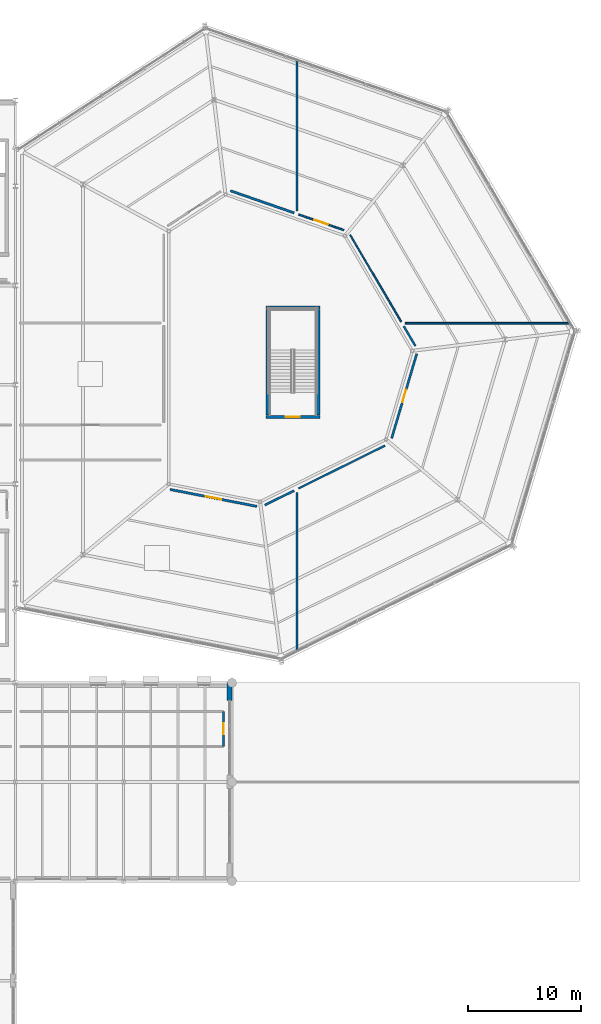
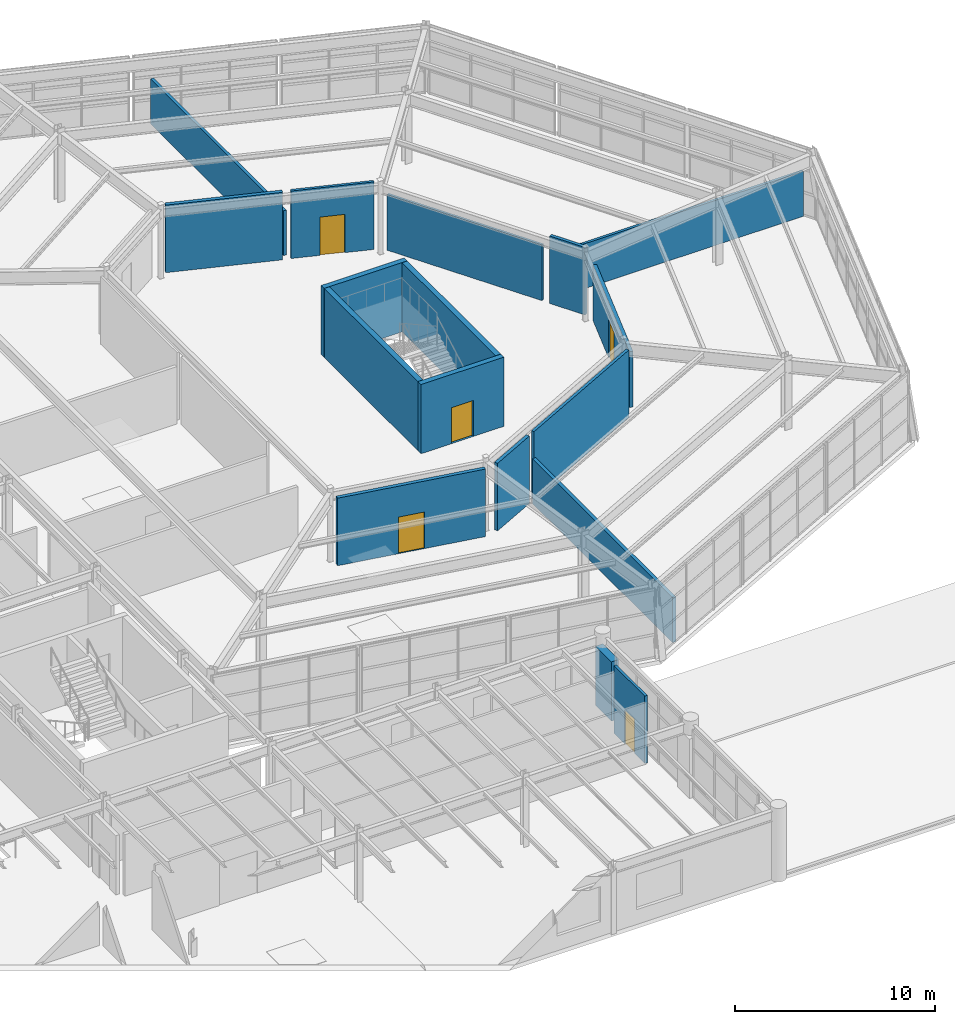
# One storey, part 63 of 77: 17 walls, 5 doors, 5 openings.
"""IFC4 building model written with IfcOpenShell, lengths in metres."""

from ifc_helpers import new_model, si_unit, direction, frame, frame_2d, origin, place, context, subcontext, project, spatial, rectangle, extrude, material, layer, layer_set, type_object, element, fill, save


model = new_model("IFC4")

# Units and contexts
model_context = context("Model", 3, precision=1e-05, world=origin(), true_north=direction((0.0, 1.0)))
body_context = subcontext(model_context, "Body", "Model", "MODEL_VIEW")
ifc_project = project(units=[si_unit("LENGTHUNIT", "METRE"), si_unit("AREAUNIT", "SQUARE_METRE"), si_unit("VOLUMEUNIT", "CUBIC_METRE"), si_unit("PLANEANGLEUNIT", "RADIAN"), si_unit("MASSUNIT", "GRAM", prefix="KILO")], contexts=[model_context])

# Site, building, storey
site_placement = place(None, origin())
site = spatial("IfcSite", under=ifc_project, at=site_placement, CompositionType="ELEMENT")
building_placement = place(site_placement, origin())
building = spatial("IfcBuilding", under=site, at=building_placement, Name="Sarnbrook Museum", CompositionType="ELEMENT")
storey_placement = place(building_placement, frame((0.0, 0.0, 5.60009765625)))
storey = spatial("IfcBuildingStorey", under=building, at=storey_placement, Name="L01", CompositionType="ELEMENT", Elevation=5.60009765625)

# Wall, opening, door
ifc_material_1 = material(Name="Concrete N50 (AS 3600, f'c = 50 MPa)", Category="concrete")
ifc_layer_1 = layer(ifc_material_1, 0.300048828125)
ifc_layer_set_1 = layer_set([ifc_layer_1], Name="Concrete N50 (AS 3600, f'c = 50 MPa)")
wall_type_1 = type_object("IfcWallType", Name="CoreWall_CWRC", PredefinedType="SHEAR", material=ifc_layer_set_1)
wall_1_placement = place(storey_placement, frame((141.39990234375, 80.35009765625, 0.0), z_axis=(0.0, 0.0, 1.0), x_axis=(1.0, 0.0, 0.0)))
wall_1 = element("IfcWall", 1, at=wall_1_placement, inside=storey, type_object=wall_type_1, Name="Core C7 Shear Wall S L01", PredefinedType="SHEAR", context=body_context, shape_type="SweptSolid", body=[
    extrude(rectangle(XDim=4.800048828125, YDim=0.300048828125, at=frame_2d((2.39990234375, 0.0))), origin(), (0.0, 0.0, 1.0), 4.23486328125),
])
opening_1_placement = place(wall_1_placement, frame((1.77490234375, 0.0, 0.0)))
opening_1 = element("IfcOpeningElement", 2, at=opening_1_placement, cuts=wall_1, Name="Opening D-ST-ST7-L01", PredefinedType="OPENING", context=body_context, shape_type="SweptSolid", body=[
    extrude(rectangle(XDim=1.25, YDim=2.199951171875, at=frame_2d((0.625, 1.10009765625))), frame((0.0, 0.16015625, 0.0), z_axis=(0.0, -1.0, 0.0), x_axis=(1.0, 0.0, 0.0)), (0.0, 0.0, 1.0), 0.320068359375),
])
ifc_material_2 = material(Name="Tasmanian Oak Acoustic Timber", Category="wood")
door_type_1 = type_object("IfcDoorType", Name="FireDoor_FD120", OperationType="NOTDEFINED", PredefinedType="DOOR", material=ifc_material_2)
door_1_placement = place(opening_1_placement, origin())
door_1 = element("IfcDoor", 3, at=door_1_placement, inside=storey, type_object=door_type_1, Name="Exit Stair ST7 Fire Door L01", OperationType="SINGLE_SWING_LEFT", OverallHeight=2.199951171875, OverallWidth=1.25, PredefinedType="DOOR", context=body_context, shape_type="SweptSolid", body=[
    extrude(rectangle(XDim=1.25, YDim=2.199951171875, at=frame_2d((0.625, 1.10009765625))), frame((0.0, 0.02490234375, 0.0), z_axis=(0.0, -1.0, 0.0), x_axis=(1.0, 0.0, 0.0)), (0.0, 0.0, 1.0), 0.050048828125),
])
fill(opening_1, door_1)

# Walls
wall_2_placement = place(storey_placement, frame((146.199951171875, 90.050048828125, 0.0), z_axis=(0.0, 0.0, 1.0), x_axis=(-1.0, 0.0, 0.0)))
element("IfcWall", 4, at=wall_2_placement, inside=storey, type_object=wall_type_1, Name="Core C7 Shear Wall N L01", PredefinedType="SHEAR", context=body_context, shape_type="SweptSolid", body=[
    extrude(rectangle(XDim=4.800048828125, YDim=0.300048828125, at=frame_2d((2.39990234375, 0.0))), origin(), (0.0, 0.0, 1.0), 4.23486328125),
])
for number, where, z_axis, x_axis, name in (
    (5, (146.050048828125, 80.510009765625, 0.0), (0.0, 0.0, 1.0), (0.0, 1.0, 0.0), "Core C7 Shear Wall E L01"),
    (6, (141.550048828125, 89.889892578125, 0.0), (0.0, 0.0, 1.0), (0.0, -1.0, 0.0), "Core C7 Shear Wall W L01"),
):
    element("IfcWall", number, at=place(storey_placement, frame(where, z_axis=z_axis, x_axis=x_axis)), inside=storey, type_object=wall_type_1, Name=name, PredefinedType="SHEAR", context=body_context, shape_type="SweptSolid", body=[
        extrude(rectangle(XDim=9.3798828125, YDim=0.300048828125, at=frame_2d((4.68994140625, 0.0))), origin(), (0.0, 0.0, 1.0), 4.23486328125),
    ])
ifc_material_3 = material(Name="Fire-Rated Acoustic Gypsum Plasterboard")
ifc_layer_2 = layer(ifc_material_3, 0.135009765625)
ifc_layer_set_2 = layer_set([ifc_layer_2], Name="Fire-Rated Acoustic Gypsum Plasterboard")
wall_type_2 = type_object("IfcWallType", Name="PartWall_P135", PredefinedType="PARTITIONING", material=ifc_layer_set_2)
wall_3_placement = place(storey_placement, frame((153.3955078125, 88.78076171875, 0.0), z_axis=(0.0, 0.0, 1.0), x_axis=(-0.506050684721, 0.862503741727, 0.0)))
element("IfcWall", 7, at=wall_3_placement, inside=storey, type_object=wall_type_2, Name="Interior Partition Wall L01-0320", PredefinedType="PARTITIONING", context=body_context, shape_type="SweptSolid", body=[
    extrude(rectangle(XDim=8.928466796875, YDim=0.135009765625, at=frame_2d((4.46435546875, 0.0))), origin(), (0.0, 0.0, 1.0), 3.409912109375),
])

# Wall, opening, door
ifc_layer_3 = layer(ifc_material_3, 0.14990234375)
ifc_layer_set_3 = layer_set([ifc_layer_3], Name="Fire-Rated Acoustic Gypsum Plasterboard")
wall_type_3 = type_object("IfcWallType", Name="PartWall_P150", PredefinedType="PARTITIONING", material=ifc_layer_set_3)
wall_4_placement = place(storey_placement, frame((148.309326171875, 96.90576171875, 0.0), z_axis=(0.0, 0.0, 1.0), x_axis=(-0.944667711612, 0.328028832022, 0.0)))
wall_4 = element("IfcWall", 8, at=wall_4_placement, inside=storey, type_object=wall_type_3, Name="Interior Partition Wall L01-0319", PredefinedType="PARTITIONING", context=body_context, shape_type="SweptSolid", body=[
    extrude(rectangle(XDim=4.236328125, YDim=0.14990234375, at=frame_2d((2.1181640625, 0.0))), origin(), (0.0, 0.0, 1.0), 4.1298828125),
])
opening_2_placement = place(wall_4_placement, frame((1.488037109375, 0.0, 0.0)))
opening_2 = element("IfcOpeningElement", 9, at=opening_2_placement, cuts=wall_4, Name="Opening D-L01-099", PredefinedType="OPENING", context=body_context, shape_type="SweptSolid", body=[
    extrude(rectangle(XDim=1.260009765625, YDim=2.340087890625, at=frame_2d((0.6298828125, 1.169921875))), frame((0.0, 0.0849609375, 0.0), z_axis=(0.0, -1.0, 0.0), x_axis=(1.0, 0.0, 0.0)), (0.0, 0.0, 1.0), 0.169921875),
])
door_type_2 = type_object("IfcDoorType", Name="IntDoor_DT23", OperationType="NOTDEFINED", PredefinedType="DOOR", material=ifc_material_2)
door_2_placement = place(opening_2_placement, origin())
door_2 = element("IfcDoor", 10, at=door_2_placement, inside=storey, type_object=door_type_2, Name="Wet Taxonomy Laboratory L01-5 Door D-L01-099", OperationType="SINGLE_SWING_LEFT", OverallHeight=2.340087890625, OverallWidth=1.260009765625, PredefinedType="DOOR", context=body_context, shape_type="SweptSolid", body=[
    extrude(rectangle(XDim=1.260009765625, YDim=2.340087890625, at=frame_2d((0.6298828125, 1.169921875))), frame((0.0, 0.02490234375, 0.0), z_axis=(0.0, -1.0, 0.0), x_axis=(1.0, 0.0, 0.0)), (0.0, 0.0, 1.0), 0.050048828125),
])
fill(opening_2, door_2)

wall_5_placement = place(storey_placement, frame((137.64990234375, 51.159912109375, 0.0), z_axis=(0.0, 0.0, 1.0), x_axis=(0.0, 1.0, 0.0)))
wall_5 = element("IfcWall", 11, at=wall_5_placement, inside=storey, type_object=wall_type_3, Name="Interior Partition Wall L01-0375", PredefinedType="PARTITIONING", context=body_context, shape_type="SweptSolid", body=[
    extrude(rectangle(XDim=3.080078125, YDim=0.14990234375, at=frame_2d((1.5400390625, 0.0))), origin(), (0.0, 0.0, 1.0), 4.1298828125),
])
opening_3_placement = place(wall_5_placement, frame((1.050048828125, 0.0, 0.0)))
opening_3 = element("IfcOpeningElement", 12, at=opening_3_placement, cuts=wall_5, Name="Opening D-L01-117", PredefinedType="OPENING", context=body_context, shape_type="SweptSolid", body=[
    extrude(rectangle(XDim=0.97998046875, YDim=2.080078125, at=frame_2d((0.489990234375, 1.0400390625))), frame((0.0, 0.0849609375, 0.0), z_axis=(0.0, -1.0, 0.0), x_axis=(1.0, 0.0, 0.0)), (0.0, 0.0, 1.0), 0.169921875),
])
door_type_3 = type_object("IfcDoorType", Name="IntDoor_DT03", OperationType="NOTDEFINED", PredefinedType="DOOR", material=ifc_material_2)
door_3_placement = place(opening_3_placement, origin())
door_3 = element("IfcDoor", 13, at=door_3_placement, inside=storey, type_object=door_type_3, Name="School Workshop Classroom L01-25 Door D-L01-117", OperationType="SINGLE_SWING_LEFT", OverallHeight=2.080078125, OverallWidth=0.97998046875, PredefinedType="DOOR", context=body_context, shape_type="SweptSolid", body=[
    extrude(rectangle(XDim=0.97998046875, YDim=2.080078125, at=frame_2d((0.489990234375, 1.0400390625))), frame((0.0, 0.02490234375, 0.0), z_axis=(0.0, -1.0, 0.0), x_axis=(1.0, 0.0, 0.0)), (0.0, 0.0, 1.0), 0.050048828125),
])
fill(opening_3, door_3)

# Walls
wall_6_placement = place(storey_placement, frame((153.77685546875, 88.662841796875, 0.0), z_axis=(0.0, 0.0, 1.0), x_axis=(1.0, 0.0, 0.0)))
element("IfcWall", 14, at=wall_6_placement, inside=storey, type_object=wall_type_3, Name="Interior Partition Wall L01-0424", PredefinedType="PARTITIONING", context=body_context, shape_type="SweptSolid", body=[
    extrude(rectangle(XDim=14.600341796875, YDim=0.14990234375, at=frame_2d((7.30029296875, 0.0))), origin(), (0.0, 0.0, 1.0), 2.75),
])
ifc_layer_4 = layer(ifc_material_3, 0.1650390625)
ifc_layer_set_4 = layer_set([ifc_layer_4], Name="Fire-Rated Acoustic Gypsum Plasterboard")
wall_type_4 = type_object("IfcWallType", Name="PartWall_P165", PredefinedType="PARTITIONING", material=ifc_layer_set_4)
wall_7_placement = place(storey_placement, frame((144.288818359375, 74.010986328125, 0.0), z_axis=(0.0, 0.0, 1.0), x_axis=(0.896175386907, 0.443699984113, 0.0)))
element("IfcWall", 15, at=wall_7_placement, inside=storey, type_object=wall_type_4, Name="Interior Partition Wall L01-0318", PredefinedType="PARTITIONING", context=body_context, shape_type="SweptSolid", body=[
    extrude(rectangle(XDim=8.56884765625, YDim=0.1650390625, at=frame_2d((4.284423828125, 0.0))), origin(), (0.0, 0.0, 1.0), 4.1298828125),
])
wall_8_placement = place(storey_placement, frame((144.16015625, 111.930908203125, 0.0), z_axis=(0.0, 0.0, 1.0), x_axis=(0.0, -1.0, 0.0)))
element("IfcWall", 16, at=wall_8_placement, inside=storey, type_object=wall_type_4, Name="Interior Partition Wall L01-0423", PredefinedType="PARTITIONING", context=body_context, shape_type="SweptSolid", body=[
    extrude(rectangle(XDim=13.309814453125, YDim=0.1650390625, at=frame_2d((6.65478515625, 0.0))), origin(), (0.0, 0.0, 1.0), 2.75),
])
ifc_layer_5 = layer(ifc_material_3, 0.179931640625)
ifc_layer_set_5 = layer_set([ifc_layer_5], Name="Fire-Rated Acoustic Gypsum Plasterboard")
wall_type_5 = type_object("IfcWallType", Name="PartWall_P180", PredefinedType="PARTITIONING", material=ifc_layer_set_5)
wall_9_placement = place(storey_placement, frame((154.657958984375, 86.62890625, 0.0), z_axis=(0.0, 0.0, 1.0), x_axis=(-0.506013427862, 0.862525600097, 0.0)))
element("IfcWall", 17, at=wall_9_placement, inside=storey, type_object=wall_type_5, Name="Interior Partition Wall L01-0317", PredefinedType="PARTITIONING", context=body_context, shape_type="SweptSolid", body=[
    extrude(rectangle(XDim=2.046142578125, YDim=0.179931640625, at=frame_2d((1.02294921875, 0.0))), origin(), (0.0, 0.0, 1.0), 4.1298828125),
])
ifc_layer_6 = layer(ifc_material_3, 0.195068359375)
ifc_layer_set_6 = layer_set([ifc_layer_6], Name="Fire-Rated Acoustic Gypsum Plasterboard")
wall_type_6 = type_object("IfcWallType", Name="PartWall_P195", PredefinedType="PARTITIONING", material=ifc_layer_set_6)
wall_10_placement = place(storey_placement, frame((141.314697265625, 72.538330078125, 0.0), z_axis=(0.0, 0.0, 1.0), x_axis=(0.89618477276, 0.443681026272, 0.0)))
element("IfcWall", 18, at=wall_10_placement, inside=storey, type_object=wall_type_6, Name="Interior Partition Wall L01-0309", PredefinedType="PARTITIONING", context=body_context, shape_type="SweptSolid", body=[
    extrude(rectangle(XDim=2.8779296875, YDim=0.195068359375, at=frame_2d((1.43896484375, 0.0))), origin(), (0.0, 0.0, 1.0), 4.1298828125),
])

# Wall, opening, door
wall_11_placement = place(storey_placement, frame((152.54931640625, 78.45556640625, 0.0), z_axis=(0.0, 0.0, 1.0), x_axis=(0.284584370511, 0.958650998049, 0.0)))
wall_11 = element("IfcWall", 19, at=wall_11_placement, inside=storey, type_object=wall_type_6, Name="Interior Partition Wall L01-0316", PredefinedType="PARTITIONING", context=body_context, shape_type="SweptSolid", body=[
    extrude(rectangle(XDim=7.808349609375, YDim=0.195068359375, at=frame_2d((3.904296875, 0.0))), origin(), (0.0, 0.0, 1.0), 3.409912109375),
])
opening_4_placement = place(wall_11_placement, frame((3.3291015625, 0.0, 0.0)))
opening_4 = element("IfcOpeningElement", 20, at=opening_4_placement, cuts=wall_11, Name="Opening D-L01-098", PredefinedType="OPENING", context=body_context, shape_type="SweptSolid", body=[
    extrude(rectangle(XDim=1.14990234375, YDim=2.340087890625, at=frame_2d((0.574951171875, 1.169921875))), frame((0.0, 0.107421875, 0.0), z_axis=(0.0, -1.0, 0.0), x_axis=(1.0, 0.0, 0.0)), (0.0, 0.0, 1.0), 0.215087890625),
])
door_type_4 = type_object("IfcDoorType", Name="IntDoor_DT22", OperationType="NOTDEFINED", PredefinedType="DOOR", material=ifc_material_2)
door_4_placement = place(opening_4_placement, origin())
door_4 = element("IfcDoor", 21, at=door_4_placement, inside=storey, type_object=door_type_4, Name="School Workshop Classroom L01-4 Door D-L01-098", OperationType="SINGLE_SWING_RIGHT", OverallHeight=2.340087890625, OverallWidth=1.14990234375, PredefinedType="DOOR", context=body_context, shape_type="SweptSolid", body=[
    extrude(rectangle(XDim=1.14990234375, YDim=2.340087890625, at=frame_2d((0.574951171875, 1.169921875))), frame((0.0, 0.02490234375, 0.0), z_axis=(0.0, -1.0, 0.0), x_axis=(1.0, 0.0, 0.0)), (0.0, 0.0, 1.0), 0.050048828125),
])
fill(opening_4, door_4)

# Wall
wall_12_placement = place(storey_placement, frame((144.16015625, 73.64990234375, 0.0), z_axis=(0.0, 0.0, 1.0), x_axis=(0.0, -1.0, 0.0)))
element("IfcWall", 22, at=wall_12_placement, inside=storey, type_object=wall_type_6, Name="Interior Partition Wall L01-0421", PredefinedType="PARTITIONING", context=body_context, shape_type="SweptSolid", body=[
    extrude(rectangle(XDim=14.043212890625, YDim=0.195068359375, at=frame_2d((7.021484375, 0.0))), origin(), (0.0, 0.0, 1.0), 2.75),
])

# Wall, opening, door
ifc_layer_7 = layer(ifc_material_3, 0.2099609375)
ifc_layer_set_7 = layer_set([ifc_layer_7], Name="Fire-Rated Acoustic Gypsum Plasterboard")
wall_type_7 = type_object("IfcWallType", Name="PartWall_P210", PredefinedType="PARTITIONING", material=ifc_layer_set_7)
wall_13_placement = place(storey_placement, frame((132.902099609375, 73.9267578125, 0.0), z_axis=(0.0, 0.0, 1.0), x_axis=(0.98152920164, -0.191312378918, 0.0)))
wall_13 = element("IfcWall", 23, at=wall_13_placement, inside=storey, type_object=wall_type_7, Name="Interior Partition Wall L01-0308", PredefinedType="PARTITIONING", context=body_context, shape_type="SweptSolid", body=[
    extrude(rectangle(XDim=7.85205078125, YDim=0.2099609375, at=frame_2d((3.926025390625, 0.0))), origin(), (0.0, 0.0, 1.0), 4.1298828125),
])
opening_5_placement = place(wall_13_placement, frame((3.236083984375, 0.0, 0.0)))
opening_5 = element("IfcOpeningElement", 24, at=opening_5_placement, cuts=wall_13, Name="Opening D-L01-095", PredefinedType="OPENING", context=body_context, shape_type="SweptSolid", body=[
    extrude(rectangle(XDim=1.3798828125, YDim=2.239990234375, at=frame_2d((0.68994140625, 1.1201171875))), frame((0.0, 0.114990234375, 0.0), z_axis=(0.0, -1.0, 0.0), x_axis=(1.0, 0.0, 0.0)), (0.0, 0.0, 1.0), 0.22998046875),
])
door_type_5 = type_object("IfcDoorType", Name="IntDoor_DT19", OperationType="NOTDEFINED", PredefinedType="DOOR", material=ifc_material_2)
door_5_placement = place(opening_5_placement, frame((1.3798828125, 0.0, 0.0), z_axis=(0.0, 0.0, 1.0), x_axis=(-1.0, 0.0, 0.0)))
door_5 = element("IfcDoor", 25, at=door_5_placement, inside=storey, type_object=door_type_5, Name="Marine Biodiversity Gallery L01-1 Door D-L01-095", OperationType="SINGLE_SWING_LEFT", OverallHeight=2.239990234375, OverallWidth=1.3798828125, PredefinedType="DOOR", context=body_context, shape_type="SweptSolid", body=[
    extrude(rectangle(XDim=1.3798828125, YDim=2.239990234375, at=frame_2d((0.68994140625, 1.1201171875))), frame((0.0, 0.02490234375, 0.0), z_axis=(0.0, -1.0, 0.0), x_axis=(1.0, 0.0, 0.0)), (0.0, 0.0, 1.0), 0.050048828125),
])
fill(opening_5, door_5)

# Walls
wall_14_placement = place(storey_placement, frame((143.900634765625, 98.4365234375, 0.0), z_axis=(0.0, 0.0, 1.0), x_axis=(-0.944669438021, 0.328023860214, 0.0)))
element("IfcWall", 26, at=wall_14_placement, inside=storey, type_object=wall_type_7, Name="Interior Partition Wall L01-0315", PredefinedType="PARTITIONING", context=body_context, shape_type="SweptSolid", body=[
    extrude(rectangle(XDim=5.966796875, YDim=0.2099609375, at=frame_2d((2.9833984375, 0.0))), origin(), (0.0, 0.0, 1.0), 4.1298828125),
])
ifc_material_4 = material(Name="Barrabool Sandstone Ashlar Cladding", Category="masonry")
ifc_layer_8 = layer(ifc_material_4, 0.419921875)
ifc_layer_set_8 = layer_set([ifc_layer_8], Name="Barrabool Sandstone Ashlar Cladding")
wall_type_8 = type_object("IfcWallType", Name="Wall_SandstoneExt420", PredefinedType="SOLIDWALL", material=ifc_layer_set_8)
wall_15_placement = place(storey_placement, frame((138.18994140625, 55.199951171875, 0.0), z_axis=(0.0, 0.0, 1.0), x_axis=(0.0, 1.0, 0.0)))
element("IfcWall", 27, at=wall_15_placement, inside=storey, type_object=wall_type_8, Name="Classical Sandstone Facade Pier L01-4.3", PredefinedType="SOLIDWALL", context=body_context, shape_type="SweptSolid", body=[
    extrude(rectangle(XDim=1.60009765625, YDim=0.419921875, at=frame_2d((0.800048828125, 0.0))), origin(), (0.0, 0.0, 1.0), 3.6279296875),
])

save(model, "model.ifc")
